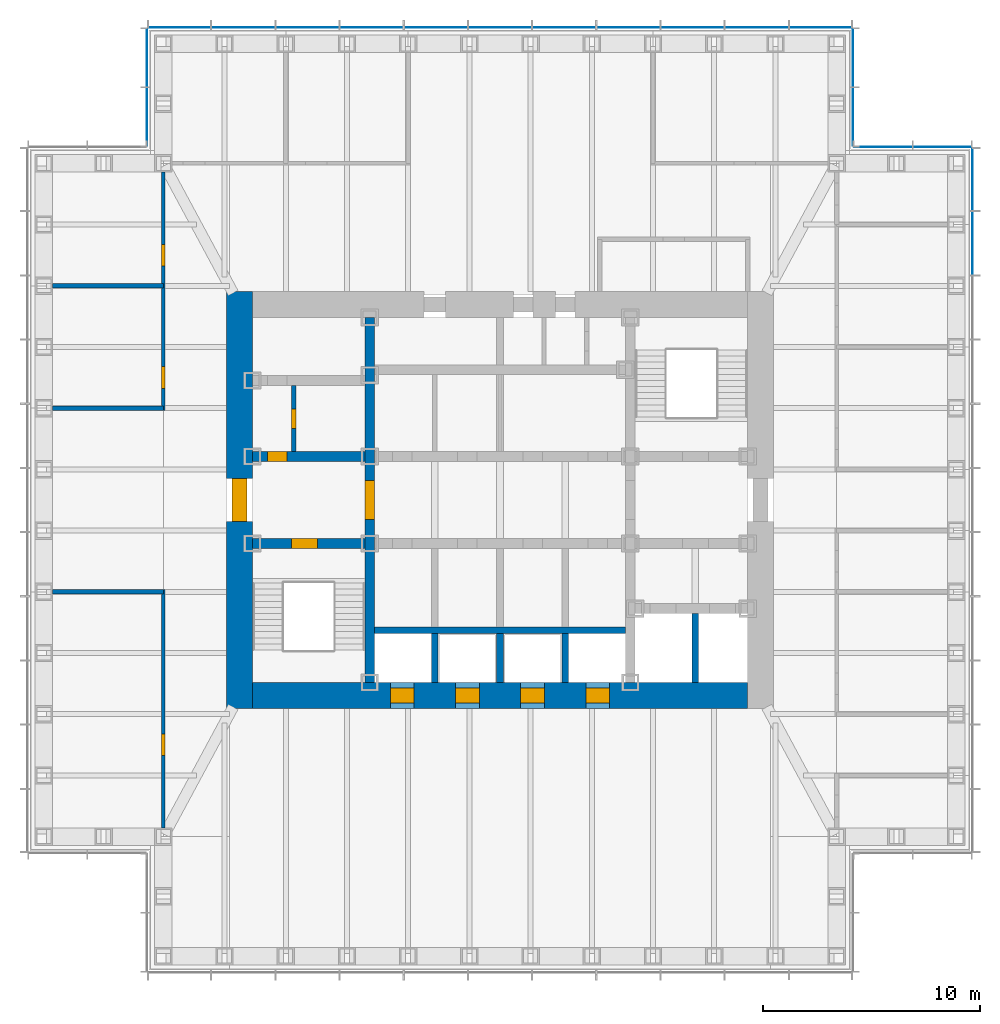
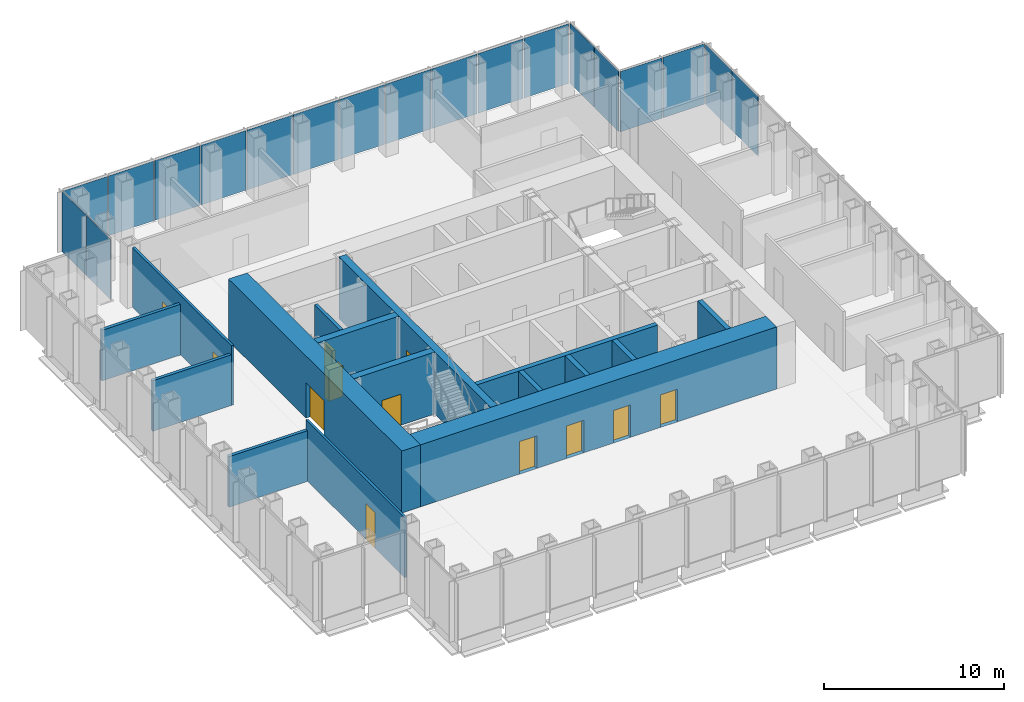
# One storey, part 8 of 16: 19 plates, 16 walls, 12 doors, 12 openings, 5 elements without a shape of their own.
"""IFC4 building model written with IfcOpenShell, lengths in metres."""

from ifc_helpers import new_model, si_unit, direction, frame, frame_2d, origin, origin_2d, place, context, subcontext, project, spatial, rectangle, extrude, material, layer, layer_set, type_object, element, fill, aggregate, save


model = new_model("IFC4")

# Units and contexts
model_context = context("Model", 3, precision=1e-05, world=origin(), true_north=direction((0.0, 1.0)))
body_context = subcontext(model_context, "Body", "Model", "MODEL_VIEW")
ifc_project = project(units=[si_unit("LENGTHUNIT", "METRE"), si_unit("AREAUNIT", "SQUARE_METRE"), si_unit("VOLUMEUNIT", "CUBIC_METRE"), si_unit("PLANEANGLEUNIT", "RADIAN"), si_unit("MASSUNIT", "GRAM", prefix="KILO")], contexts=[model_context])

# Site, building, storey
site_placement = place(None, origin())
site = spatial("IfcSite", under=ifc_project, at=site_placement, CompositionType="ELEMENT")
building_placement = place(site_placement, origin())
building = spatial("IfcBuilding", under=site, at=building_placement, Name="Daluyong Arena Tower", CompositionType="ELEMENT")
storey_placement = place(building_placement, frame((0.0, 0.0, 214.89990234375)))
storey = spatial("IfcBuildingStorey", under=building, at=storey_placement, Name="L48", CompositionType="ELEMENT", Elevation=214.89990234375)

# Curtain wall, plates
ifc_material_1 = material(Name="Bronze anodised aluminium and glass", Category="aluminium")
curtain_wall_type_1 = type_object("IfcCurtainWallType", Name="Curtain wall CW3", PredefinedType="USERDEFINED", material=ifc_material_1)
curtain_wall_1_placement = place(storey_placement, origin())
curtain_wall_1 = element("IfcCurtainWall", 1, at=curtain_wall_1_placement, inside=storey, type_object=curtain_wall_type_1, Name="curtain wall L48 E", ObjectType="UNITISED CURTAIN WALL", PredefinedType="USERDEFINED")
ifc_material_2 = material(Name="Tinted double glazed unit", Category="glass")
ifc_layer_1 = layer(ifc_material_2, 0.030029296875)
ifc_layer_set_1 = layer_set([ifc_layer_1], Name="Tinted double glazed unit")
plate_type_1 = type_object("IfcPlateType", Name="CW3 panel 30", PredefinedType="CURTAIN_PANEL", material=ifc_layer_set_1)
plate_1_placement = place(storey_placement, frame((77.75, 91.818115234375, 0.0), z_axis=(0.0, 0.0, 1.0), x_axis=(0.0, 1.0, 0.0)))
plate_1 = element("IfcPlate", 2, at=plate_1_placement, type_object=plate_type_1, Name="curtain wall L48 E panel 10", PredefinedType="CURTAIN_PANEL", context=body_context, shape_type="SweptSolid", body=[
    extrude(rectangle(XDim=2.884521484375, YDim=0.030029296875, at=origin_2d()), origin(), (0.0, 0.0, 1.0), 4.0400390625),
])
plate_2_placement = place(storey_placement, frame((77.75, 94.755126953125, 0.0), z_axis=(0.0, 0.0, 1.0), x_axis=(0.0, 1.0, 0.0)))
plate_2 = element("IfcPlate", 3, at=plate_2_placement, type_object=plate_type_1, Name="curtain wall L48 E panel 11", PredefinedType="CURTAIN_PANEL", context=body_context, shape_type="SweptSolid", body=[
    extrude(rectangle(XDim=2.849609375, YDim=0.030029296875, at=origin_2d()), origin(), (0.0, 0.0, 1.0), 4.0400390625),
])
aggregate(curtain_wall_1, [plate_1, plate_2])

curtain_wall_2_placement = place(storey_placement, origin())
curtain_wall_2 = element("IfcCurtainWall", 4, at=curtain_wall_2_placement, inside=storey, type_object=curtain_wall_type_1, Name="curtain wall L48 N", ObjectType="UNITISED CURTAIN WALL", PredefinedType="USERDEFINED")
plate_3_placement = place(storey_placement, frame((70.755126953125, 101.75, 0.0), z_axis=(0.0, 0.0, 1.0), x_axis=(-1.0, 0.0, 0.0)))
plate_3 = element("IfcPlate", 5, at=plate_3_placement, type_object=plate_type_1, Name="curtain wall L48 N panel 1", PredefinedType="CURTAIN_PANEL", context=body_context, shape_type="SweptSolid", body=[
    extrude(rectangle(XDim=2.849609375, YDim=0.030029296875, at=origin_2d()), origin(), (0.0, 0.0, 1.0), 4.0400390625),
])
plate_4_placement = place(storey_placement, frame((67.818115234375, 101.75, 0.0), z_axis=(0.0, 0.0, 1.0), x_axis=(-1.0, 0.0, 0.0)))
plate_4 = element("IfcPlate", 6, at=plate_4_placement, type_object=plate_type_1, Name="curtain wall L48 N panel 2", PredefinedType="CURTAIN_PANEL", context=body_context, shape_type="SweptSolid", body=[
    extrude(rectangle(XDim=2.884521484375, YDim=0.030029296875, at=origin_2d()), origin(), (0.0, 0.0, 1.0), 4.0400390625),
])
plate_5_placement = place(storey_placement, frame((64.863525390625, 101.75, 0.0), z_axis=(0.0, 0.0, 1.0), x_axis=(-1.0, 0.0, 0.0)))
plate_5 = element("IfcPlate", 7, at=plate_5_placement, type_object=plate_type_1, Name="curtain wall L48 N panel 3", PredefinedType="CURTAIN_PANEL", context=body_context, shape_type="SweptSolid", body=[
    extrude(rectangle(XDim=2.884521484375, YDim=0.030029296875, at=origin_2d()), origin(), (0.0, 0.0, 1.0), 4.0400390625),
])
plate_6_placement = place(storey_placement, frame((61.9091796875, 101.75, 0.0), z_axis=(0.0, 0.0, 1.0), x_axis=(-1.0, 0.0, 0.0)))
plate_6 = element("IfcPlate", 8, at=plate_6_placement, type_object=plate_type_1, Name="curtain wall L48 N panel 4", PredefinedType="CURTAIN_PANEL", context=body_context, shape_type="SweptSolid", body=[
    extrude(rectangle(XDim=2.884521484375, YDim=0.030029296875, at=origin_2d()), origin(), (0.0, 0.0, 1.0), 4.0400390625),
])
plate_7_placement = place(storey_placement, frame((58.95458984375, 101.75, 0.0), z_axis=(0.0, 0.0, 1.0), x_axis=(-1.0, 0.0, 0.0)))
plate_7 = element("IfcPlate", 9, at=plate_7_placement, type_object=plate_type_1, Name="curtain wall L48 N panel 5", PredefinedType="CURTAIN_PANEL", context=body_context, shape_type="SweptSolid", body=[
    extrude(rectangle(XDim=2.884521484375, YDim=0.030029296875, at=origin_2d()), origin(), (0.0, 0.0, 1.0), 4.0400390625),
])
plate_8_placement = place(storey_placement, frame((56.0, 101.75, 0.0), z_axis=(0.0, 0.0, 1.0), x_axis=(-1.0, 0.0, 0.0)))
plate_8 = element("IfcPlate", 10, at=plate_8_placement, type_object=plate_type_1, Name="curtain wall L48 N panel 6", PredefinedType="CURTAIN_PANEL", context=body_context, shape_type="SweptSolid", body=[
    extrude(rectangle(XDim=2.884521484375, YDim=0.030029296875, at=origin_2d()), origin(), (0.0, 0.0, 1.0), 4.0400390625),
])
plate_9_placement = place(storey_placement, frame((53.04541015625, 101.75, 0.0), z_axis=(0.0, 0.0, 1.0), x_axis=(-1.0, 0.0, 0.0)))
plate_9 = element("IfcPlate", 11, at=plate_9_placement, type_object=plate_type_1, Name="curtain wall L48 N panel 7", PredefinedType="CURTAIN_PANEL", context=body_context, shape_type="SweptSolid", body=[
    extrude(rectangle(XDim=2.884521484375, YDim=0.030029296875, at=origin_2d()), origin(), (0.0, 0.0, 1.0), 4.0400390625),
])
plate_10_placement = place(storey_placement, frame((50.0908203125, 101.75, 0.0), z_axis=(0.0, 0.0, 1.0), x_axis=(-1.0, 0.0, 0.0)))
plate_10 = element("IfcPlate", 12, at=plate_10_placement, type_object=plate_type_1, Name="curtain wall L48 N panel 8", PredefinedType="CURTAIN_PANEL", context=body_context, shape_type="SweptSolid", body=[
    extrude(rectangle(XDim=2.884521484375, YDim=0.030029296875, at=origin_2d()), origin(), (0.0, 0.0, 1.0), 4.0400390625),
])
plate_11_placement = place(storey_placement, frame((47.136474609375, 101.75, 0.0), z_axis=(0.0, 0.0, 1.0), x_axis=(-1.0, 0.0, 0.0)))
plate_11 = element("IfcPlate", 13, at=plate_11_placement, type_object=plate_type_1, Name="curtain wall L48 N panel 9", PredefinedType="CURTAIN_PANEL", context=body_context, shape_type="SweptSolid", body=[
    extrude(rectangle(XDim=2.884521484375, YDim=0.030029296875, at=origin_2d()), origin(), (0.0, 0.0, 1.0), 4.0400390625),
])
plate_12_placement = place(storey_placement, frame((44.181884765625, 101.75, 0.0), z_axis=(0.0, 0.0, 1.0), x_axis=(-1.0, 0.0, 0.0)))
plate_12 = element("IfcPlate", 14, at=plate_12_placement, type_object=plate_type_1, Name="curtain wall L48 N panel 10", PredefinedType="CURTAIN_PANEL", context=body_context, shape_type="SweptSolid", body=[
    extrude(rectangle(XDim=2.884521484375, YDim=0.030029296875, at=origin_2d()), origin(), (0.0, 0.0, 1.0), 4.0400390625),
])
plate_13_placement = place(storey_placement, frame((41.244873046875, 101.75, 0.0), z_axis=(0.0, 0.0, 1.0), x_axis=(-1.0, 0.0, 0.0)))
plate_13 = element("IfcPlate", 15, at=plate_13_placement, type_object=plate_type_1, Name="curtain wall L48 N panel 11", PredefinedType="CURTAIN_PANEL", context=body_context, shape_type="SweptSolid", body=[
    extrude(rectangle(XDim=2.849609375, YDim=0.030029296875, at=origin_2d()), origin(), (0.0, 0.0, 1.0), 4.0400390625),
])
aggregate(curtain_wall_2, [plate_3, plate_4, plate_5, plate_6, plate_7, plate_8, plate_9, plate_10, plate_11, plate_12, plate_13])

ifc_material_3 = material(Name="Bronze anodised aluminium and glass", Category="aluminium")
curtain_wall_type_2 = type_object("IfcCurtainWallType", Name="Curtain wall CW7", PredefinedType="USERDEFINED", material=ifc_material_3)
curtain_wall_3_placement = place(storey_placement, origin())
curtain_wall_3 = element("IfcCurtainWall", 16, at=curtain_wall_3_placement, inside=storey, type_object=curtain_wall_type_2, Name="curtain wall L48 NE-N", ObjectType="UNITISED CURTAIN WALL", PredefinedType="USERDEFINED")
ifc_material_4 = material(Name="Tinted double glazed unit", Category="glass")
ifc_layer_2 = layer(ifc_material_4, 0.028076171875)
ifc_layer_set_2 = layer_set([ifc_layer_2], Name="Tinted double glazed unit")
plate_type_2 = type_object("IfcPlateType", Name="CW7 panel 28", PredefinedType="CURTAIN_PANEL", material=ifc_layer_set_2)
plate_14_placement = place(storey_placement, frame((76.360107421875, 96.25, 0.0), z_axis=(0.0, 0.0, 1.0), x_axis=(-1.0, 0.0, 0.0)))
plate_14 = element("IfcPlate", 17, at=plate_14_placement, type_object=plate_type_2, Name="curtain wall L48 NE-N panel 1", PredefinedType="CURTAIN_PANEL", context=body_context, shape_type="SweptSolid", body=[
    extrude(rectangle(XDim=2.659912109375, YDim=0.028076171875, at=origin_2d()), origin(), (0.0, 0.0, 1.0), 4.080078125),
])
plate_15_placement = place(storey_placement, frame((73.639892578125, 96.25, 0.0), z_axis=(0.0, 0.0, 1.0), x_axis=(-1.0, 0.0, 0.0)))
plate_15 = element("IfcPlate", 18, at=plate_15_placement, type_object=plate_type_2, Name="curtain wall L48 NE-N panel 2", PredefinedType="CURTAIN_PANEL", context=body_context, shape_type="SweptSolid", body=[
    extrude(rectangle(XDim=2.659912109375, YDim=0.028076171875, at=origin_2d()), origin(), (0.0, 0.0, 1.0), 4.080078125),
])
aggregate(curtain_wall_3, [plate_14, plate_15])

curtain_wall_4_placement = place(storey_placement, origin())
curtain_wall_4 = element("IfcCurtainWall", 19, at=curtain_wall_4_placement, inside=storey, type_object=curtain_wall_type_2, Name="curtain wall L48 NE-E", ObjectType="UNITISED CURTAIN WALL", PredefinedType="USERDEFINED")
plate_16_placement = place(storey_placement, frame((72.25, 97.639892578125, 0.0), z_axis=(0.0, 0.0, 1.0), x_axis=(0.0, 1.0, 0.0)))
plate_16 = element("IfcPlate", 20, at=plate_16_placement, type_object=plate_type_2, Name="curtain wall L48 NE-E panel 1", PredefinedType="CURTAIN_PANEL", context=body_context, shape_type="SweptSolid", body=[
    extrude(rectangle(XDim=2.659912109375, YDim=0.028076171875, at=origin_2d()), origin(), (0.0, 0.0, 1.0), 4.080078125),
])
plate_17_placement = place(storey_placement, frame((72.25, 100.360107421875, 0.0), z_axis=(0.0, 0.0, 1.0), x_axis=(0.0, 1.0, 0.0)))
plate_17 = element("IfcPlate", 21, at=plate_17_placement, type_object=plate_type_2, Name="curtain wall L48 NE-E panel 2", PredefinedType="CURTAIN_PANEL", context=body_context, shape_type="SweptSolid", body=[
    extrude(rectangle(XDim=2.659912109375, YDim=0.028076171875, at=origin_2d()), origin(), (0.0, 0.0, 1.0), 4.080078125),
])
aggregate(curtain_wall_4, [plate_16, plate_17])

curtain_wall_5_placement = place(storey_placement, origin())
curtain_wall_5 = element("IfcCurtainWall", 22, at=curtain_wall_5_placement, inside=storey, type_object=curtain_wall_type_2, Name="curtain wall L48 NW-W", ObjectType="UNITISED CURTAIN WALL", PredefinedType="USERDEFINED")
plate_18_placement = place(storey_placement, frame((39.75, 100.360107421875, 0.0), z_axis=(0.0, 0.0, 1.0), x_axis=(0.0, -1.0, 0.0)))
plate_18 = element("IfcPlate", 23, at=plate_18_placement, type_object=plate_type_2, Name="curtain wall L48 NW-W panel 1", PredefinedType="CURTAIN_PANEL", context=body_context, shape_type="SweptSolid", body=[
    extrude(rectangle(XDim=2.659912109375, YDim=0.028076171875, at=origin_2d()), origin(), (0.0, 0.0, 1.0), 4.080078125),
])
plate_19_placement = place(storey_placement, frame((39.75, 97.639892578125, 0.0), z_axis=(0.0, 0.0, 1.0), x_axis=(0.0, -1.0, 0.0)))
plate_19 = element("IfcPlate", 24, at=plate_19_placement, type_object=plate_type_2, Name="curtain wall L48 NW-W panel 2", PredefinedType="CURTAIN_PANEL", context=body_context, shape_type="SweptSolid", body=[
    extrude(rectangle(XDim=2.659912109375, YDim=0.028076171875, at=origin_2d()), origin(), (0.0, 0.0, 1.0), 4.080078125),
])
aggregate(curtain_wall_5, [plate_18, plate_19])

# Wall, opening, door
ifc_material_5 = material(Name="Concrete fc' 45 MPa", Category="concrete")
ifc_layer_3 = layer(ifc_material_5, 0.449951171875)
ifc_layer_set_3 = layer_set([ifc_layer_3], Name="Concrete fc' 45 MPa")
wall_type_1 = type_object("IfcWallType", Name="Core inner wall 450", PredefinedType="SHEAR", material=ifc_layer_set_3)
wall_1_placement = place(storey_placement, frame((50.0, 71.60009765625, 0.0), z_axis=(0.0, 0.0, 1.0), x_axis=(0.0, 1.0, 0.0)))
wall_1 = element("IfcWall", 25, at=wall_1_placement, inside=storey, type_object=wall_type_1, Name="core inner wall at L48", PredefinedType="SHEAR", context=body_context, shape_type="SweptSolid", body=[
    extrude(rectangle(XDim=16.7998046875, YDim=0.449951171875, at=frame_2d((8.39990234375, 0.0))), origin(), (0.0, 0.0, 1.0), 4.2001953125),
])
opening_1_placement = place(wall_1_placement, frame((7.5, 0.0, 0.0)))
opening_1 = element("IfcOpeningElement", 26, at=opening_1_placement, cuts=wall_1, Name="Opening 48020", PredefinedType="OPENING", context=body_context, shape_type="SweptSolid", body=[
    extrude(rectangle(XDim=1.800048828125, YDim=2.39990234375, at=frame_2d((0.89990234375, 1.199951171875))), frame((0.0, 0.23486328125, 0.0), z_axis=(0.0, -1.0, 0.0), x_axis=(1.0, 0.0, 0.0)), (0.0, 0.0, 1.0), 0.469970703125),
])
ifc_material_6 = material(Name="Steel door, fire rated", Category="steel")
door_type_1 = type_object("IfcDoorType", Name="Lift lobby opening door 1800", OperationType="DOUBLE_DOOR_SINGLE_SWING", PredefinedType="DOOR", material=ifc_material_6)
door_1_placement = place(opening_1_placement, origin())
door_1 = element("IfcDoor", 27, at=door_1_placement, inside=storey, type_object=door_type_1, Name="lift lobby door west 48020", OperationType="DOUBLE_DOOR_SINGLE_SWING", OverallHeight=2.39990234375, OverallWidth=1.800048828125, PredefinedType="DOOR", context=body_context, shape_type="SweptSolid", body=[
    extrude(rectangle(XDim=1.800048828125, YDim=2.39990234375, at=frame_2d((0.89990234375, 1.199951171875))), frame((0.0, 0.224609375, 0.0), z_axis=(0.0, -1.0, 0.0), x_axis=(1.0, 0.0, 0.0)), (0.0, 0.0, 1.0), 0.449462890625),
])
fill(opening_1, door_1)

wall_2_placement = place(storey_placement, frame((44.60009765625, 78.0, 0.0), z_axis=(0.0, 0.0, 1.0), x_axis=(1.0, 0.0, 0.0)))
wall_2 = element("IfcWall", 28, at=wall_2_placement, inside=storey, type_object=wall_type_1, Name="core inner wall at L48", PredefinedType="SHEAR", context=body_context, shape_type="SweptSolid", body=[
    extrude(rectangle(XDim=5.1748046875, YDim=0.449951171875, at=frame_2d((2.58740234375, 0.0))), origin(), (0.0, 0.0, 1.0), 4.2001953125),
])
opening_2_placement = place(wall_2_placement, frame((1.800048828125, 0.0, 0.0)))
opening_2 = element("IfcOpeningElement", 29, at=opening_2_placement, cuts=wall_2, Name="Opening 48016", PredefinedType="OPENING", context=body_context, shape_type="SweptSolid", body=[
    extrude(rectangle(XDim=1.199951171875, YDim=2.10009765625, at=frame_2d((0.60009765625, 1.050048828125))), frame((0.0, 0.23486328125, 0.0), z_axis=(0.0, -1.0, 0.0), x_axis=(1.0, 0.0, 0.0)), (0.0, 0.0, 1.0), 0.469970703125),
])
ifc_material_7 = material(Name="Steel door, fire rated", Category="steel")
door_type_2 = type_object("IfcDoorType", Name="Stair door 1200", OperationType="SINGLE_SWING_LEFT", PredefinedType="DOOR", material=ifc_material_7)
door_2_placement = place(opening_2_placement, origin())
door_2 = element("IfcDoor", 30, at=door_2_placement, inside=storey, type_object=door_type_2, Name="stair A door 48016", OperationType="SINGLE_SWING_LEFT", OverallHeight=2.10009765625, OverallWidth=1.199951171875, PredefinedType="DOOR", context=body_context, shape_type="SweptSolid", body=[
    extrude(rectangle(XDim=1.199951171875, YDim=2.10009765625, at=frame_2d((0.60009765625, 1.050048828125))), frame((0.0, 0.224609375, 0.0), z_axis=(0.0, -1.0, 0.0), x_axis=(1.0, 0.0, 0.0)), (0.0, 0.0, 1.0), 0.449462890625),
])
fill(opening_2, door_2)

wall_3_placement = place(storey_placement, frame((44.60009765625, 82.0, 0.0), z_axis=(0.0, 0.0, 1.0), x_axis=(1.0, 0.0, 0.0)))
wall_3 = element("IfcWall", 31, at=wall_3_placement, inside=storey, type_object=wall_type_1, Name="core inner wall at L48", PredefinedType="SHEAR", context=body_context, shape_type="SweptSolid", body=[
    extrude(rectangle(XDim=5.1748046875, YDim=0.449951171875, at=frame_2d((2.58740234375, 0.0))), origin(), (0.0, 0.0, 1.0), 4.2001953125),
])
opening_3_placement = place(wall_3_placement, frame((0.699951171875, 0.0, 0.0)))
opening_3 = element("IfcOpeningElement", 32, at=opening_3_placement, cuts=wall_3, Name="Opening 48001", PredefinedType="OPENING", context=body_context, shape_type="SweptSolid", body=[
    extrude(rectangle(XDim=0.89990234375, YDim=2.10009765625, at=frame_2d((0.449951171875, 1.050048828125))), frame((0.0, 0.23486328125, 0.0), z_axis=(0.0, -1.0, 0.0), x_axis=(1.0, 0.0, 0.0)), (0.0, 0.0, 1.0), 0.469970703125),
])
ifc_material_8 = material(Name="Steel door, fire rated", Category="steel")
door_type_3 = type_object("IfcDoorType", Name="Core room door 900", OperationType="SINGLE_SWING_LEFT", PredefinedType="DOOR", material=ifc_material_8)
door_3_placement = place(opening_3_placement, origin())
door_3 = element("IfcDoor", 33, at=door_3_placement, inside=storey, type_object=door_type_3, Name="toilet lobby door 48001", OperationType="SINGLE_SWING_LEFT", OverallHeight=2.10009765625, OverallWidth=0.89990234375, PredefinedType="DOOR", context=body_context, shape_type="SweptSolid", body=[
    extrude(rectangle(XDim=0.89990234375, YDim=2.10009765625, at=frame_2d((0.449951171875, 1.050048828125))), frame((0.0, 0.224609375, 0.0), z_axis=(0.0, -1.0, 0.0), x_axis=(1.0, 0.0, 0.0)), (0.0, 0.0, 1.0), 0.449462890625),
])
fill(opening_3, door_3)

ifc_material_9 = material(Name="Concrete fc' 60 MPa", Category="concrete")
ifc_layer_4 = layer(ifc_material_9, 1.199951171875)
ifc_layer_set_4 = layer_set([ifc_layer_4], Name="Concrete fc' 60 MPa")
wall_type_2 = type_object("IfcWallType", Name="Core wall 1200", PredefinedType="SHEAR", material=ifc_layer_set_4)
wall_4_placement = place(storey_placement, frame((44.0, 70.39990234375, 0.0), z_axis=(0.0, 0.0, 1.0), x_axis=(0.0, 1.0, 0.0)))
wall_4 = element("IfcWall", 34, at=wall_4_placement, inside=storey, type_object=wall_type_2, Name="core wall at L48", PredefinedType="SHEAR", context=body_context, shape_type="SweptSolid", body=[
    extrude(rectangle(XDim=19.2001953125, YDim=1.199951171875, at=frame_2d((9.60009765625, 0.0))), origin(), (0.0, 0.0, 1.0), 4.2001953125),
])
opening_4_placement = place(wall_4_placement, frame((8.60009765625, 0.0, 0.0)))
opening_4 = element("IfcOpeningElement", 35, at=opening_4_placement, cuts=wall_4, Name="Opening 48018", PredefinedType="OPENING", context=body_context, shape_type="SweptSolid", body=[
    extrude(rectangle(XDim=2.0, YDim=2.39990234375, at=frame_2d((1.0, 1.199951171875))), frame((0.0, 0.60986328125, 0.0), z_axis=(0.0, -1.0, 0.0), x_axis=(1.0, 0.0, 0.0)), (0.0, 0.0, 1.0), 1.219970703125),
])
ifc_material_10 = material(Name="Steel door, fire rated", Category="steel")
door_type_4 = type_object("IfcDoorType", Name="Core lobby double door 2000", OperationType="DOUBLE_DOOR_SINGLE_SWING", PredefinedType="DOOR", material=ifc_material_10)
door_4_placement = place(opening_4_placement, origin())
door_4 = element("IfcDoor", 36, at=door_4_placement, inside=storey, type_object=door_type_4, Name="core lobby door west 48018", OperationType="DOUBLE_DOOR_SINGLE_SWING", OverallHeight=2.39990234375, OverallWidth=2.0, PredefinedType="DOOR", context=body_context, shape_type="SweptSolid", body=[
    extrude(rectangle(XDim=2.0, YDim=2.39990234375, at=frame_2d((1.0, 1.199951171875))), frame((0.0, 0.35009765625, 0.0), z_axis=(0.0, -1.0, 0.0), x_axis=(1.0, 0.0, 0.0)), (0.0, 0.0, 1.0), 0.699951171875),
])
fill(opening_4, door_4)

# Wall, openings, doors
wall_5_placement = place(storey_placement, frame((44.60009765625, 71.0, 0.0), z_axis=(0.0, 0.0, 1.0), x_axis=(1.0, 0.0, 0.0)))
wall_5 = element("IfcWall", 37, at=wall_5_placement, inside=storey, type_object=wall_type_2, Name="core wall at L48", PredefinedType="SHEAR", context=body_context, shape_type="SweptSolid", body=[
    extrude(rectangle(XDim=22.7998046875, YDim=1.199951171875, at=frame_2d((11.39990234375, 0.0))), origin(), (0.0, 0.0, 1.0), 4.2001953125),
])
opening_5_placement = place(wall_5_placement, frame((6.35009765625, 0.0, 0.0)))
opening_5 = element("IfcOpeningElement", 38, at=opening_5_placement, cuts=wall_5, Name="Opening 48023", PredefinedType="OPENING", context=body_context, shape_type="SweptSolid", body=[
    extrude(rectangle(XDim=1.10009765625, YDim=2.199951171875, at=frame_2d((0.550048828125, 1.10009765625))), frame((0.0, 0.60986328125, 0.0), z_axis=(0.0, -1.0, 0.0), x_axis=(1.0, 0.0, 0.0)), (0.0, 0.0, 1.0), 1.219970703125),
])
opening_6_placement = place(wall_5_placement, frame((9.35009765625, 0.0, 0.0)))
opening_6 = element("IfcOpeningElement", 39, at=opening_6_placement, cuts=wall_5, Name="Opening 48024", PredefinedType="OPENING", context=body_context, shape_type="SweptSolid", body=[
    extrude(rectangle(XDim=1.10009765625, YDim=2.199951171875, at=frame_2d((0.550048828125, 1.10009765625))), frame((0.0, 0.60986328125, 0.0), z_axis=(0.0, -1.0, 0.0), x_axis=(1.0, 0.0, 0.0)), (0.0, 0.0, 1.0), 1.219970703125),
])
opening_7_placement = place(wall_5_placement, frame((12.35009765625, 0.0, 0.0)))
opening_7 = element("IfcOpeningElement", 40, at=opening_7_placement, cuts=wall_5, Name="Opening 48025", PredefinedType="OPENING", context=body_context, shape_type="SweptSolid", body=[
    extrude(rectangle(XDim=1.10009765625, YDim=2.199951171875, at=frame_2d((0.550048828125, 1.10009765625))), frame((0.0, 0.60986328125, 0.0), z_axis=(0.0, -1.0, 0.0), x_axis=(1.0, 0.0, 0.0)), (0.0, 0.0, 1.0), 1.219970703125),
])
opening_8_placement = place(wall_5_placement, frame((15.35009765625, 0.0, 0.0)))
opening_8 = element("IfcOpeningElement", 41, at=opening_8_placement, cuts=wall_5, Name="Opening 48026", PredefinedType="OPENING", context=body_context, shape_type="SweptSolid", body=[
    extrude(rectangle(XDim=1.10009765625, YDim=2.199951171875, at=frame_2d((0.550048828125, 1.10009765625))), frame((0.0, 0.60986328125, 0.0), z_axis=(0.0, -1.0, 0.0), x_axis=(1.0, 0.0, 0.0)), (0.0, 0.0, 1.0), 1.219970703125),
])
ifc_material_11 = material(Name="Steel door, fire rated", Category="steel")
door_type_5 = type_object("IfcDoorType", Name="Lift landing door 1100", OperationType="SLIDING_TO_LEFT", PredefinedType="DOOR", material=ifc_material_11)
door_5_placement = place(opening_5_placement, origin())
door_5 = element("IfcDoor", 42, at=door_5_placement, inside=storey, type_object=door_type_5, Name="lift landing door C1 48023", OperationType="SLIDING_TO_LEFT", OverallHeight=2.199951171875, OverallWidth=1.10009765625, PredefinedType="DOOR", context=body_context, shape_type="SweptSolid", body=[
    extrude(rectangle(XDim=1.10009765625, YDim=2.199951171875, at=frame_2d((0.550048828125, 1.10009765625))), frame((0.0, 0.35009765625, 0.0), z_axis=(0.0, -1.0, 0.0), x_axis=(1.0, 0.0, 0.0)), (0.0, 0.0, 1.0), 0.699951171875),
])
fill(opening_5, door_5)
door_6_placement = place(opening_6_placement, origin())
door_6 = element("IfcDoor", 43, at=door_6_placement, inside=storey, type_object=door_type_5, Name="lift landing door C2 48024", OperationType="SLIDING_TO_LEFT", OverallHeight=2.199951171875, OverallWidth=1.10009765625, PredefinedType="DOOR", context=body_context, shape_type="SweptSolid", body=[
    extrude(rectangle(XDim=1.10009765625, YDim=2.199951171875, at=frame_2d((0.550048828125, 1.10009765625))), frame((0.0, 0.35009765625, 0.0), z_axis=(0.0, -1.0, 0.0), x_axis=(1.0, 0.0, 0.0)), (0.0, 0.0, 1.0), 0.699951171875),
])
fill(opening_6, door_6)
door_7_placement = place(opening_7_placement, origin())
door_7 = element("IfcDoor", 44, at=door_7_placement, inside=storey, type_object=door_type_5, Name="lift landing door C3 48025", OperationType="SLIDING_TO_LEFT", OverallHeight=2.199951171875, OverallWidth=1.10009765625, PredefinedType="DOOR", context=body_context, shape_type="SweptSolid", body=[
    extrude(rectangle(XDim=1.10009765625, YDim=2.199951171875, at=frame_2d((0.550048828125, 1.10009765625))), frame((0.0, 0.35009765625, 0.0), z_axis=(0.0, -1.0, 0.0), x_axis=(1.0, 0.0, 0.0)), (0.0, 0.0, 1.0), 0.699951171875),
])
fill(opening_7, door_7)
door_8_placement = place(opening_8_placement, origin())
door_8 = element("IfcDoor", 45, at=door_8_placement, inside=storey, type_object=door_type_5, Name="lift landing door C4 48026", OperationType="SLIDING_TO_LEFT", OverallHeight=2.199951171875, OverallWidth=1.10009765625, PredefinedType="DOOR", context=body_context, shape_type="SweptSolid", body=[
    extrude(rectangle(XDim=1.10009765625, YDim=2.199951171875, at=frame_2d((0.550048828125, 1.10009765625))), frame((0.0, 0.35009765625, 0.0), z_axis=(0.0, -1.0, 0.0), x_axis=(1.0, 0.0, 0.0)), (0.0, 0.0, 1.0), 0.699951171875),
])
fill(opening_8, door_8)

# Wall, opening, door
ifc_material_12 = material(Name="Concrete block partition, fire rated", Category="concrete")
ifc_layer_5 = layer(ifc_material_12, 0.199951171875)
ifc_layer_set_5 = layer_set([ifc_layer_5], Name="Concrete block partition, fire rated")
wall_type_3 = type_object("IfcWallType", Name="Fire-rated partition 200", PredefinedType="PARTITIONING", material=ifc_layer_set_5)
wall_6_placement = place(storey_placement, frame((46.5, 82.22509765625, 0.0), z_axis=(0.0, 0.0, 1.0), x_axis=(0.0, 1.0, 0.0)))
wall_6 = element("IfcWall", 46, at=wall_6_placement, inside=storey, type_object=wall_type_3, Name="toilet lobby partition at L48", PredefinedType="PARTITIONING", context=body_context, shape_type="SweptSolid", body=[
    extrude(rectangle(XDim=3.0498046875, YDim=0.199951171875, at=frame_2d((1.52490234375, 0.0))), origin(), (0.0, 0.0, 1.0), 4.0400390625),
])
opening_9_placement = place(wall_6_placement, frame((1.074951171875, 0.0, 0.0)))
opening_9 = element("IfcOpeningElement", 47, at=opening_9_placement, cuts=wall_6, Name="Opening 48002", PredefinedType="OPENING", context=body_context, shape_type="SweptSolid", body=[
    extrude(rectangle(XDim=0.89990234375, YDim=2.10009765625, at=frame_2d((0.449951171875, 1.050048828125))), frame((0.0, 0.10986328125, 0.0), z_axis=(0.0, -1.0, 0.0), x_axis=(1.0, 0.0, 0.0)), (0.0, 0.0, 1.0), 0.219970703125),
])
ifc_material_13 = material(Name="Timber door", Category="wood")
door_type_6 = type_object("IfcDoorType", Name="Toilet door 900", OperationType="SINGLE_SWING_RIGHT", PredefinedType="DOOR", material=ifc_material_13)
door_9_placement = place(opening_9_placement, origin())
door_9 = element("IfcDoor", 48, at=door_9_placement, inside=storey, type_object=door_type_6, Name="male toilet door 48002", OperationType="SINGLE_SWING_RIGHT", OverallHeight=2.10009765625, OverallWidth=0.89990234375, PredefinedType="DOOR", context=body_context, shape_type="SweptSolid", body=[
    extrude(rectangle(XDim=0.89990234375, YDim=2.10009765625, at=frame_2d((0.449951171875, 1.050048828125))), frame((0.0, 0.099609375, 0.0), z_axis=(0.0, -1.0, 0.0), x_axis=(1.0, 0.0, 0.0)), (0.0, 0.0, 1.0), 0.199462890625),
])
fill(opening_9, door_9)

ifc_material_14 = material(Name="Glazed aluminium partition", Category="aluminium")
ifc_layer_6 = layer(ifc_material_14, 0.14990234375)
ifc_layer_set_6 = layer_set([ifc_layer_6], Name="Glazed aluminium partition")
wall_type_4 = type_object("IfcWallType", Name="Glazed partition 150", PredefinedType="PARTITIONING", material=ifc_layer_set_6)
wall_7_placement = place(storey_placement, frame((40.5, 64.89990234375, 0.0), z_axis=(0.0, 0.0, 1.0), x_axis=(0.0, 1.0, 0.0)))
wall_7 = element("IfcWall", 49, at=wall_7_placement, inside=storey, type_object=wall_type_4, Name="glazed partition at L48", PredefinedType="PARTITIONING", context=body_context, shape_type="SweptSolid", body=[
    extrude(rectangle(XDim=10.972900390625, YDim=0.14990234375, at=frame_2d((5.486328125, 0.0))), origin(), (0.0, 0.0, 1.0), 4.0400390625),
])
opening_10_placement = place(wall_7_placement, frame((3.327392578125, 0.0, 0.0)))
opening_10 = element("IfcOpeningElement", 50, at=opening_10_placement, cuts=wall_7, Name="Opening 48038", PredefinedType="OPENING", context=body_context, shape_type="SweptSolid", body=[
    extrude(rectangle(XDim=1.0, YDim=2.39990234375, at=frame_2d((0.5, 1.199951171875))), frame((0.0, 0.0849609375, 0.0), z_axis=(0.0, -1.0, 0.0), x_axis=(1.0, 0.0, 0.0)), (0.0, 0.0, 1.0), 0.169921875),
])
ifc_material_15 = material(Name="Glazed aluminium door", Category="aluminium")
door_type_7 = type_object("IfcDoorType", Name="Meeting room glazed door 1000", OperationType="SINGLE_SWING_RIGHT", PredefinedType="DOOR", material=ifc_material_15)
door_10_placement = place(opening_10_placement, origin())
door_10 = element("IfcDoor", 51, at=door_10_placement, inside=storey, type_object=door_type_7, Name="boardroom door 48038", OperationType="SINGLE_SWING_RIGHT", OverallHeight=2.39990234375, OverallWidth=1.0, PredefinedType="DOOR", context=body_context, shape_type="SweptSolid", body=[
    extrude(rectangle(XDim=1.0, YDim=2.39990234375, at=frame_2d((0.5, 1.199951171875))), frame((0.0, 0.07470703125, 0.0), z_axis=(0.0, -1.0, 0.0), x_axis=(1.0, 0.0, 0.0)), (0.0, 0.0, 1.0), 0.1494140625),
])
fill(opening_10, door_10)

# Wall, openings, doors
wall_8_placement = place(storey_placement, frame((40.5, 84.127197265625, 0.0), z_axis=(0.0, 0.0, 1.0), x_axis=(0.0, 1.0, 0.0)))
wall_8 = element("IfcWall", 52, at=wall_8_placement, inside=storey, type_object=wall_type_4, Name="glazed partition at L48", PredefinedType="PARTITIONING", context=body_context, shape_type="SweptSolid", body=[
    extrude(rectangle(XDim=10.972900390625, YDim=0.14990234375, at=frame_2d((5.486328125, 0.0))), origin(), (0.0, 0.0, 1.0), 4.0400390625),
])
opening_11_placement = place(wall_8_placement, frame((1.009033203125, 0.0, 0.0)))
opening_11 = element("IfcOpeningElement", 53, at=opening_11_placement, cuts=wall_8, Name="Opening 48039", PredefinedType="OPENING", context=body_context, shape_type="SweptSolid", body=[
    extrude(rectangle(XDim=1.0, YDim=2.39990234375, at=frame_2d((0.5, 1.199951171875))), frame((0.0, 0.0849609375, 0.0), z_axis=(0.0, -1.0, 0.0), x_axis=(1.0, 0.0, 0.0)), (0.0, 0.0, 1.0), 0.169921875),
])
opening_12_placement = place(wall_8_placement, frame((6.6455078125, 0.0, 0.0)))
opening_12 = element("IfcOpeningElement", 54, at=opening_12_placement, cuts=wall_8, Name="Opening 48040", PredefinedType="OPENING", context=body_context, shape_type="SweptSolid", body=[
    extrude(rectangle(XDim=1.0, YDim=2.39990234375, at=frame_2d((0.5, 1.199951171875))), frame((0.0, 0.0849609375, 0.0), z_axis=(0.0, -1.0, 0.0), x_axis=(1.0, 0.0, 0.0)), (0.0, 0.0, 1.0), 0.169921875),
])
door_11_placement = place(opening_11_placement, origin())
door_11 = element("IfcDoor", 55, at=door_11_placement, inside=storey, type_object=door_type_7, Name="meeting room door 48039", OperationType="SINGLE_SWING_RIGHT", OverallHeight=2.39990234375, OverallWidth=1.0, PredefinedType="DOOR", context=body_context, shape_type="SweptSolid", body=[
    extrude(rectangle(XDim=1.0, YDim=2.39990234375, at=frame_2d((0.5, 1.199951171875))), frame((0.0, 0.07470703125, 0.0), z_axis=(0.0, -1.0, 0.0), x_axis=(1.0, 0.0, 0.0)), (0.0, 0.0, 1.0), 0.1494140625),
])
fill(opening_11, door_11)
door_12_placement = place(opening_12_placement, origin())
door_12 = element("IfcDoor", 56, at=door_12_placement, inside=storey, type_object=door_type_7, Name="meeting room door 48040", OperationType="SINGLE_SWING_RIGHT", OverallHeight=2.39990234375, OverallWidth=1.0, PredefinedType="DOOR", context=body_context, shape_type="SweptSolid", body=[
    extrude(rectangle(XDim=1.0, YDim=2.39990234375, at=frame_2d((0.5, 1.199951171875))), frame((0.0, 0.07470703125, 0.0), z_axis=(0.0, -1.0, 0.0), x_axis=(1.0, 0.0, 0.0)), (0.0, 0.0, 1.0), 0.1494140625),
])
fill(opening_12, door_12)

# Walls
ifc_material_16 = material(Name="Concrete fc' 45 MPa", Category="concrete")
ifc_layer_7 = layer(ifc_material_16, 0.300048828125)
ifc_layer_set_7 = layer_set([ifc_layer_7], Name="Concrete fc' 45 MPa")
wall_type_5 = type_object("IfcWallType", Name="Lift shaft wall 300", PredefinedType="SHEAR", material=ifc_layer_set_7)
wall_9_placement = place(storey_placement, frame((50.22509765625, 74.0, 0.0), z_axis=(0.0, 0.0, 1.0), x_axis=(1.0, 0.0, 0.0)))
element("IfcWall", 57, at=wall_9_placement, inside=storey, type_object=wall_type_5, Name="lift shaft wall at L48", PredefinedType="SHEAR", context=body_context, shape_type="SweptSolid", body=[
    extrude(rectangle(XDim=11.5498046875, YDim=0.300048828125, at=frame_2d((5.77490234375, 0.0))), origin(), (0.0, 0.0, 1.0), 4.2001953125),
])
for number, where, z_axis, x_axis, name in (
    (58, (53.0, 71.60009765625, 0.0), (0.0, 0.0, 1.0), (0.0, 1.0, 0.0), "lift shaft wall at L48"),
    (59, (56.0, 71.60009765625, 0.0), (0.0, 0.0, 1.0), (0.0, 1.0, 0.0), "lift shaft wall at L48"),
    (60, (59.0, 71.60009765625, 0.0), (0.0, 0.0, 1.0), (0.0, 1.0, 0.0), "lift shaft wall at L48"),
):
    element("IfcWall", number, at=place(storey_placement, frame(where, z_axis=z_axis, x_axis=x_axis)), inside=storey, type_object=wall_type_5, Name=name, PredefinedType="SHEAR", context=body_context, shape_type="SweptSolid", body=[
        extrude(rectangle(XDim=2.25, YDim=0.300048828125, at=frame_2d((1.125, 0.0))), origin(), (0.0, 0.0, 1.0), 4.2001953125),
    ])
wall_10_placement = place(storey_placement, frame((65.0, 71.60009765625, 0.0), z_axis=(0.0, 0.0, 1.0), x_axis=(0.0, 1.0, 0.0)))
element("IfcWall", 61, at=wall_10_placement, inside=storey, type_object=wall_type_5, Name="lift shaft wall at L48", PredefinedType="SHEAR", context=body_context, shape_type="SweptSolid", body=[
    extrude(rectangle(XDim=3.1748046875, YDim=0.300048828125, at=frame_2d((1.58740234375, 0.0))), origin(), (0.0, 0.0, 1.0), 4.2001953125),
])
ifc_material_17 = material(Name="Concrete block partition", Category="concrete")
ifc_layer_8 = layer(ifc_material_17, 0.199951171875)
ifc_layer_set_8 = layer_set([ifc_layer_8], Name="Concrete block partition")
wall_type_6 = type_object("IfcWallType", Name="Partition 200", PredefinedType="PARTITIONING", material=ifc_layer_set_8)
for number, where, z_axis, x_axis, name in (
    (62, (35.39990234375, 75.772705078125, 0.0), (0.0, 0.0, 1.0), (1.0, 0.0, 0.0), "partition at L48"),
    (63, (35.39990234375, 84.227294921875, 0.0), (0.0, 0.0, 1.0), (1.0, 0.0, 0.0), "partition at L48"),
    (64, (35.39990234375, 89.863525390625, 0.0), (0.0, 0.0, 1.0), (1.0, 0.0, 0.0), "partition at L48"),
):
    element("IfcWall", number, at=place(storey_placement, frame(where, z_axis=z_axis, x_axis=x_axis)), inside=storey, type_object=wall_type_6, Name=name, PredefinedType="PARTITIONING", context=body_context, shape_type="SweptSolid", body=[
        extrude(rectangle(XDim=5.10009765625, YDim=0.199951171875, at=frame_2d((2.550048828125, 0.0))), origin(), (0.0, 0.0, 1.0), 3.427978515625),
    ])

save(model, "model.ifc")
